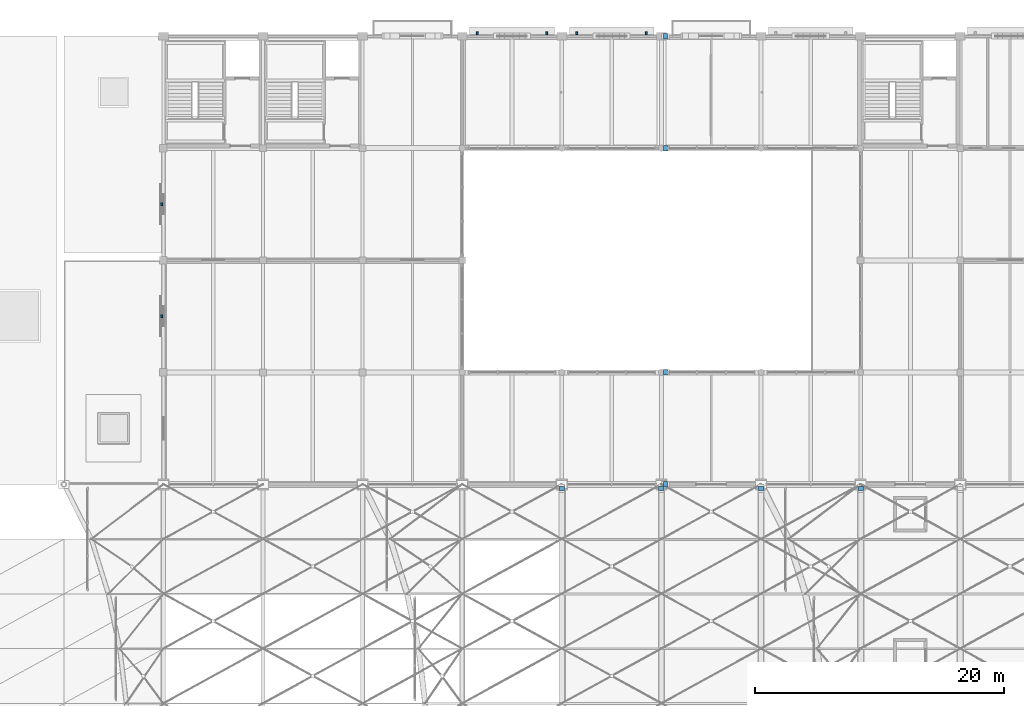
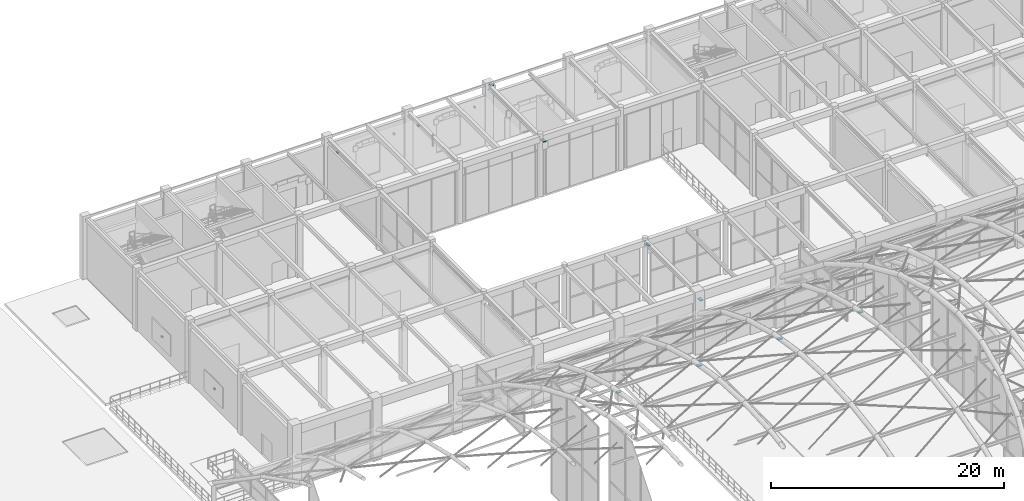
# One storey, part 153 of 163: 14 discrete accessories.
"""IFC4 building model written with IfcOpenShell, lengths in metres."""

from ifc_helpers import new_model, si_unit, direction, frame, origin, origin_2d, place, context, subcontext, project, spatial, rectangle, extrude, material, layer, layer_set, type_object, element, save


model = new_model("IFC4")

# Units and contexts
model_context = context("Model", 3, precision=1e-05, world=origin(), true_north=direction((0.0, 1.0)))
body_context = subcontext(model_context, "Body", "Model", "MODEL_VIEW")
ifc_project = project(units=[si_unit("LENGTHUNIT", "METRE"), si_unit("AREAUNIT", "SQUARE_METRE"), si_unit("VOLUMEUNIT", "CUBIC_METRE"), si_unit("PLANEANGLEUNIT", "RADIAN"), si_unit("MASSUNIT", "GRAM", prefix="KILO")], contexts=[model_context])

# Site, building, storey
site_placement = place(None, origin())
site = spatial("IfcSite", under=ifc_project, at=site_placement, CompositionType="ELEMENT")
building_placement = place(site_placement, origin())
building = spatial("IfcBuilding", under=site, at=building_placement, Name="Varnabhumi Central Station", CompositionType="ELEMENT")
storey_placement = place(building_placement, frame((0.0, 0.0, 9.60009765625)))
storey = spatial("IfcBuildingStorey", under=building, at=storey_placement, Name="L02", CompositionType="ELEMENT", Elevation=9.60009765625)

# Discrete accessories
ifc_material = material(Name="Structural steel E350", Category="steel")
ifc_layer_1 = layer(ifc_material, 0.080078125, Name="Structural steel E350", Category="steel")
ifc_layer_set_1 = layer_set([ifc_layer_1], Name="Structural steel E350")
discrete_accessory_type_1 = type_object("IfcDiscreteAccessoryType", Name="ACC-BEARING-SHOE", PredefinedType="SHOE", material=ifc_layer_set_1)
for number, where, z_axis, x_axis, name in (
    (1, (64.324951171875, 80.0, 5.31982421875), (0.0, 0.0, 1.0), (1.0, 0.0, 0.0), "Movement Joint Bearing L02-K-9"),
    (2, (64.324951171875, 89.0, 5.619873046875), (0.0, 0.0, 1.0), (1.0, 0.0, 0.0), "Movement Joint Bearing L02-L-9"),
    (3, (64.324951171875, 107.0, 5.619873046875), (0.0, 0.0, 1.0), (1.0, 0.0, 0.0), "Movement Joint Bearing L02-N-9"),
    (4, (64.324951171875, 116.0, 6.02978515625), (0.0, 0.0, 1.0), (1.0, 0.0, 0.0), "Movement Joint Bearing L02-P-9"),
):
    element("IfcDiscreteAccessory", number, at=place(storey_placement, frame(where, z_axis=z_axis, x_axis=x_axis)), inside=storey, type_object=discrete_accessory_type_1, Name=name, PredefinedType="SHOE", context=body_context, shape_type="SweptSolid", body=[
        extrude(rectangle(XDim=0.300048828125, YDim=0.449951171875, at=origin_2d()), origin(), (0.0, 0.0, 1.0), 0.080078125),
    ])
for number, where, z_axis, x_axis, name in (
    (5, (56.0, 79.675048828125, -1.300048828125), (0.0, 0.0, 1.0), (1.0, 0.0, 0.0), "Concourse Bridge Sliding Bearing 56-N"),
    (6, (64.0, 79.675048828125, -1.300048828125), (0.0, 0.0, 1.0), (1.0, 0.0, 0.0), "Concourse Bridge Sliding Bearing 64-N"),
    (7, (72.0, 79.675048828125, -1.300048828125), (0.0, 0.0, 1.0), (1.0, 0.0, 0.0), "Concourse Bridge Sliding Bearing 72-N"),
    (8, (80.0, 79.675048828125, -1.300048828125), (0.0, 0.0, 1.0), (1.0, 0.0, 0.0), "Concourse Bridge Sliding Bearing 80-N"),
):
    element("IfcDiscreteAccessory", number, at=place(storey_placement, frame(where, z_axis=z_axis, x_axis=x_axis)), inside=storey, type_object=discrete_accessory_type_1, Name=name, PredefinedType="SHOE", context=body_context, shape_type="SweptSolid", body=[
        extrude(rectangle(XDim=0.449951171875, YDim=0.300048828125, at=origin_2d()), origin(), (0.0, 0.0, 1.0), 0.080078125),
    ])
ifc_layer_2 = layer(ifc_material, 0.159912109375, Name="Structural steel E350", Category="steel")
ifc_layer_set_2 = layer_set([ifc_layer_2], Name="Structural steel E350")
discrete_accessory_type_2 = type_object("IfcDiscreteAccessoryType", Name="ACC-SHADE-BRKT", PredefinedType="BRACKET", material=ifc_layer_set_2)
for number, where, z_axis, x_axis, name in (
    (9, (49.199951171875, 116.22998046875, 4.02001953125), (0.0, 0.0, 1.0), (1.0, 0.0, 0.0), "Chajja Bracket N-L02-4L"),
    (10, (54.800048828125, 116.22998046875, 4.02001953125), (0.0, 0.0, 1.0), (1.0, 0.0, 0.0), "Chajja Bracket N-L02-4R"),
    (11, (57.199951171875, 116.22998046875, 4.02001953125), (0.0, 0.0, 1.0), (1.0, 0.0, 0.0), "Chajja Bracket N-L02-5L"),
    (12, (62.800048828125, 116.22998046875, 4.02001953125), (0.0, 0.0, 1.0), (1.0, 0.0, 0.0), "Chajja Bracket N-L02-5R"),
    (13, (23.85009765625, 93.5, 1.8701171875), (0.0, 0.0, 1.0), (1.0, 0.0, 0.0), "Celosia Bracket N-L02-E2"),
    (14, (23.85009765625, 102.5, 1.8701171875), (0.0, 0.0, 1.0), (1.0, 0.0, 0.0), "Celosia Bracket N-L02-E3"),
):
    element("IfcDiscreteAccessory", number, at=place(storey_placement, frame(where, z_axis=z_axis, x_axis=x_axis)), inside=storey, type_object=discrete_accessory_type_2, Name=name, PredefinedType="BRACKET", context=body_context, shape_type="SweptSolid", body=[
        extrude(rectangle(XDim=0.159912109375, YDim=0.239990234375, at=origin_2d()), origin(), (0.0, 0.0, 1.0), 0.159912109375),
    ])

save(model, "model.ifc")
